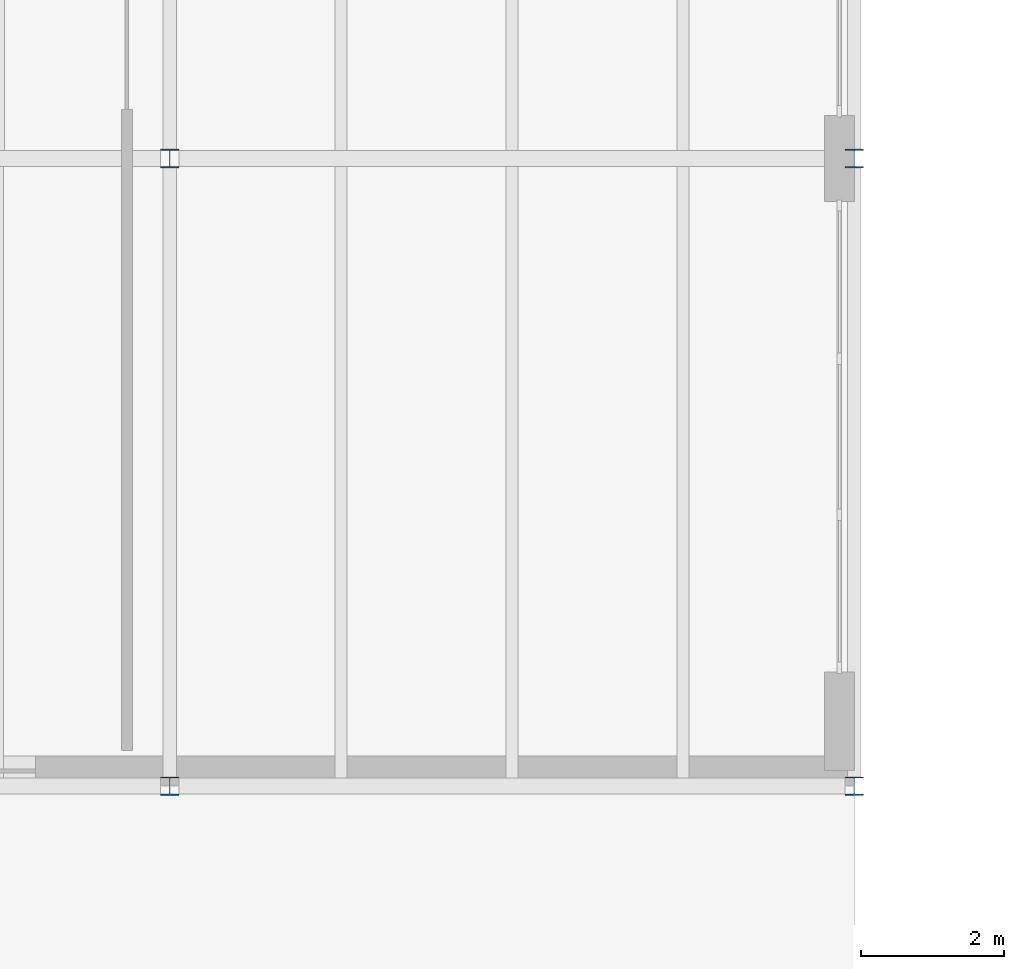
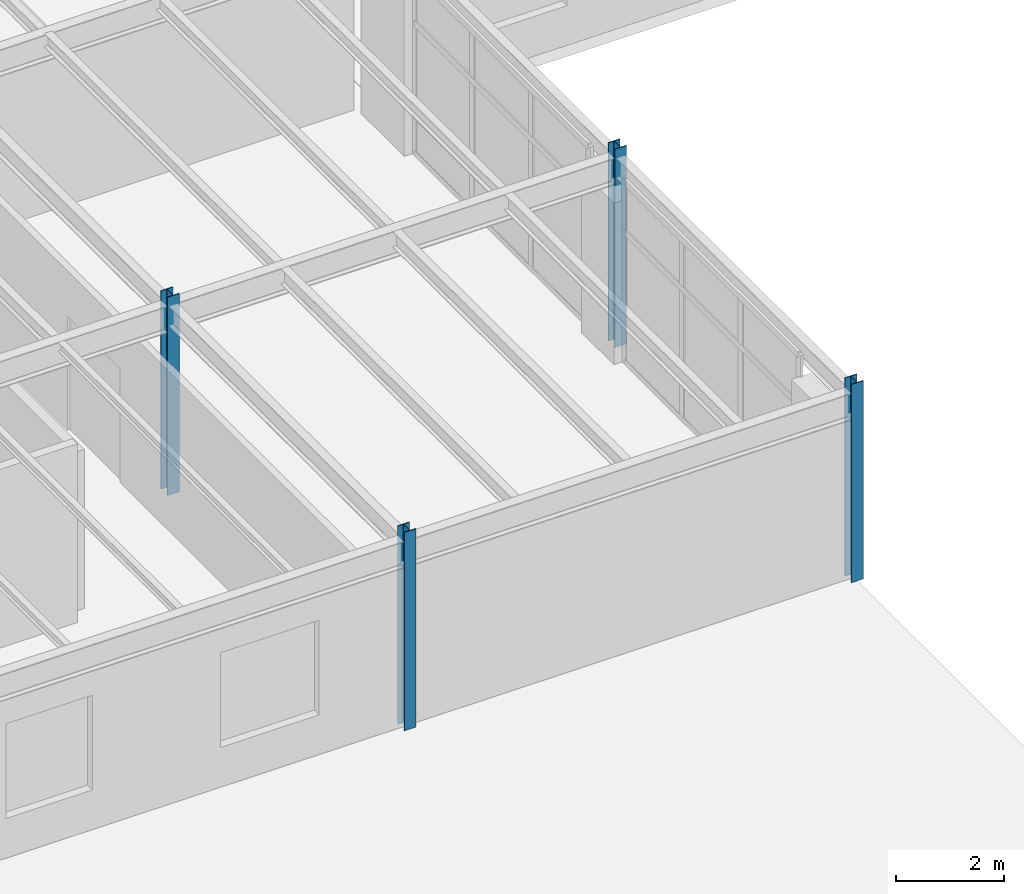
# One storey, part 5 of 77: 4 columns.
"""IFC4 building model written with IfcOpenShell, lengths in metres."""

from ifc_helpers import new_model, si_unit, direction, frame, origin, origin_2d, place, context, subcontext, project, spatial, i_section, extrude, material, material_profile, profile_set, type_object, element, save


model = new_model("IFC4")

# Units and contexts
model_context = context("Model", 3, precision=1e-05, world=origin(), true_north=direction((0.0, 1.0)))
body_context = subcontext(model_context, "Body", "Model", "MODEL_VIEW")
ifc_project = project(units=[si_unit("LENGTHUNIT", "METRE"), si_unit("AREAUNIT", "SQUARE_METRE"), si_unit("VOLUMEUNIT", "CUBIC_METRE"), si_unit("PLANEANGLEUNIT", "RADIAN"), si_unit("MASSUNIT", "GRAM", prefix="KILO")], contexts=[model_context])

# Site, building, storey
site_placement = place(None, origin())
site = spatial("IfcSite", under=ifc_project, at=site_placement, CompositionType="ELEMENT")
building_placement = place(site_placement, origin())
building = spatial("IfcBuilding", under=site, at=building_placement, Name="Sarnbrook Museum", CompositionType="ELEMENT")
storey_placement = place(building_placement, frame((0.0, 0.0, 5.60009765625)))
storey = spatial("IfcBuildingStorey", under=building, at=storey_placement, Name="L01", CompositionType="ELEMENT", Elevation=5.60009765625)

# Columns
ifc_material = material(Name="Structural Steel Grade 300PLUS (AS/NZS 3679.1, fy = 280 MPa for 17 < t <= 40 mm, 300 MPa for t <= 17 mm)", Category="steel")
ifc_material_profile = material_profile(ifc_material, i_section(OverallWidth=0.256103515625, OverallDepth=0.260009765625, WebThickness=0.010498046875, FlangeThickness=0.017333984375, FilletRadius=0.0126953125, at=origin_2d()), Name="250UC89.5")
ifc_profile_set = profile_set([ifc_material_profile], Name="Structural Steel Grade 300PLUS (AS/NZS 3679.1, fy = 280 MPa for 17 < t <= 40 mm, 300 MPa for t <= 17 mm)")
column_type = type_object("IfcColumnType", Name="COL-UC250H", PredefinedType="COLUMN", material=ifc_profile_set)
for number, where, z_axis, x_axis, name in (
    (1, (109.60009765625, 21.60009765625, 0.0), (0.0, 0.0, 1.0), (1.0, 0.0, 0.0), "Column 12-C L01"),
    (2, (109.60009765625, 30.39990234375, 0.0), (0.0, 0.0, 1.0), (1.0, 0.0, 0.0), "Column 12-D L01"),
    (3, (119.199951171875, 21.60009765625, 0.0), (0.0, 0.0, 1.0), (1.0, 0.0, 0.0), "Column 13-C L01"),
    (4, (119.199951171875, 30.39990234375, 0.0), (0.0, 0.0, 1.0), (1.0, 0.0, 0.0), "Column 13-D L01"),
):
    element("IfcColumn", number, at=place(storey_placement, frame(where, z_axis=z_axis, x_axis=x_axis)), inside=storey, type_object=column_type, Name=name, PredefinedType="COLUMN", context=body_context, shape_type="SweptSolid", body=[
        extrude(i_section(OverallWidth=0.256103515625, OverallDepth=0.260009765625, WebThickness=0.010498046875, FlangeThickness=0.017333984375, FilletRadius=0.0126953125, at=origin_2d()), origin(), (0.0, 0.0, 1.0), 4.5),
    ])

save(model, "model.ifc")
